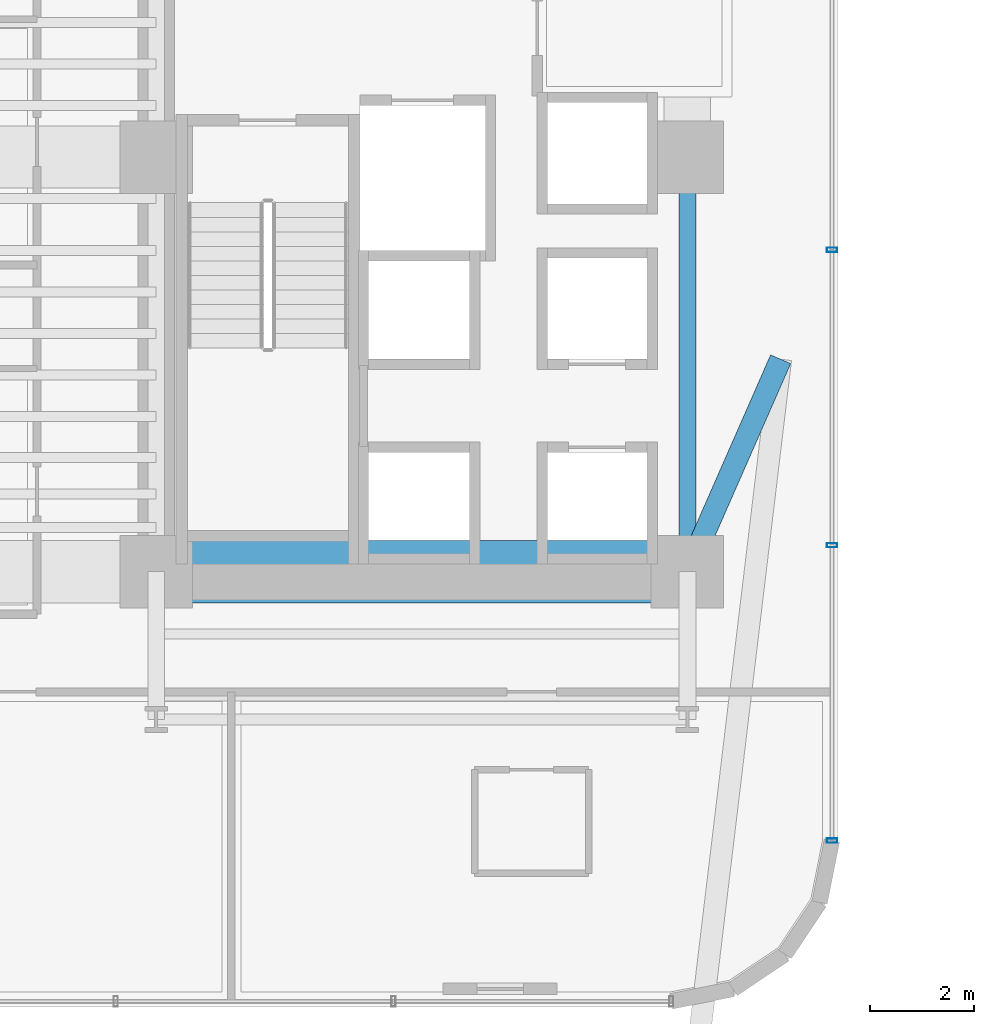
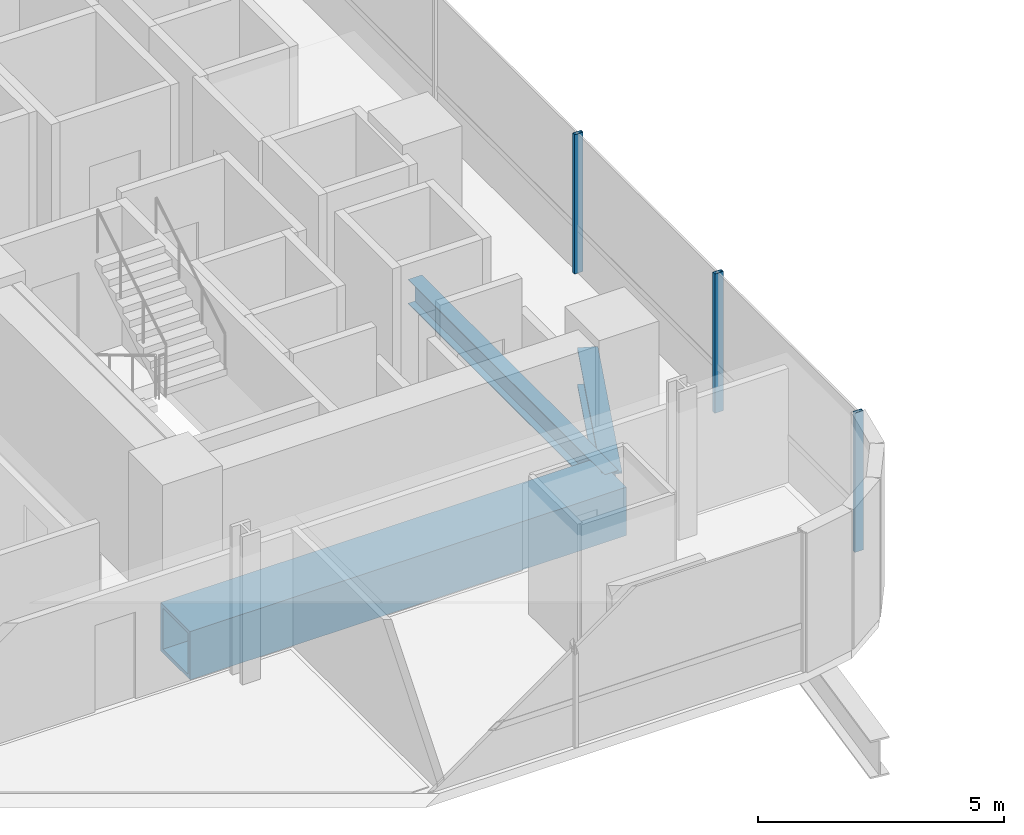
# One storey, part 7 of 50: 3 beams, 3 members, 1 element without a shape of its own.
"""IFC4 building model written with IfcOpenShell, lengths in metres."""

from ifc_helpers import new_model, si_unit, direction, frame, origin, origin_2d, place, context, subcontext, project, spatial, hollow_rectangle, i_section, extrude, source, transform, mapped, material, material_profile, profile_set, type_object, element, aggregate, save


model = new_model("IFC4")

# Units and contexts
model_context = context("Model", 3, precision=1e-05, world=origin(), true_north=direction((0.0, 1.0)))
body_context = subcontext(model_context, "Body", "Model", "MODEL_VIEW")
ifc_project = project(units=[si_unit("LENGTHUNIT", "METRE"), si_unit("AREAUNIT", "SQUARE_METRE"), si_unit("VOLUMEUNIT", "CUBIC_METRE"), si_unit("PLANEANGLEUNIT", "RADIAN"), si_unit("MASSUNIT", "GRAM", prefix="KILO")], contexts=[model_context])

# Site, building, storey
site_placement = place(None, origin())
site = spatial("IfcSite", under=ifc_project, at=site_placement, CompositionType="ELEMENT")
building_placement = place(site_placement, origin())
building = spatial("IfcBuilding", under=site, at=building_placement, Name="Valdorenza Pilgrim Sanctuary Tower", CompositionType="ELEMENT")
storey_placement = place(building_placement, frame((0.0, 0.0, 26.0)))
storey = spatial("IfcBuildingStorey", under=building, at=storey_placement, Name="L05", CompositionType="ELEMENT", Elevation=26.0)

# Beams
ifc_material_1 = material(Name="Steel ASTM A992 Grade 50", Category="steel")
ifc_material_profile_1 = material_profile(ifc_material_1, i_section(OverallWidth=0.323974609375, OverallDepth=0.611083984375, WebThickness=0.0126953125, FlangeThickness=0.01904296875, at=origin_2d()), Name="W24X104")
ifc_profile_set_1 = profile_set([ifc_material_profile_1], Name="Steel ASTM A992 Grade 50")
beam_type_1 = type_object("IfcBeamType", Name="STR-BM-GRD-W24B", PredefinedType="BEAM", material=ifc_profile_set_1)
shared_shape_1 = source(origin(), body_context, "Body", "SweptSolid", [
    extrude(i_section(OverallWidth=0.323974609375, OverallDepth=0.611083984375, WebThickness=0.0126953125, FlangeThickness=0.01904296875, at=origin_2d()), origin(), (0.0, 0.0, 1.0), 8.0),
])
beam_1_placement = place(storey_placement, frame((-12.39990234375, -10.60009765625, -0.54541015625), z_axis=(0.0, 1.0, 0.0), x_axis=(-1.0, 0.0, 0.0)))
element("IfcBeam", 1, at=beam_1_placement, inside=storey, type_object=beam_type_1, Name="L05 Core Tie Girder CA-E-S1M0", PredefinedType="BEAM", context=body_context, shape_type="MappedRepresentation", body=[
    mapped(shared_shape_1, transform((0.0, 0.0, 0.0), x_axis=(1.0, 0.0, 0.0), y_axis=(0.0, 1.0, 0.0), z_axis=(0.0, 0.0, 1.0), scale=1.0)),
])
ifc_material_profile_2 = material_profile(ifc_material_1, i_section(OverallWidth=0.423095703125, OverallDepth=0.947998046875, WebThickness=0.02392578125, FlangeThickness=0.042724609375, at=origin_2d()), Name="W36X302")
ifc_profile_set_2 = profile_set([ifc_material_profile_2], Name="Steel ASTM A992 Grade 50")
beam_type_2 = type_object("IfcBeamType", Name="STR-BM-GRD-W36A", PredefinedType="BEAM", material=ifc_profile_set_2)
shared_shape_2 = source(origin(), body_context, "Body", "SweptSolid", [
    extrude(i_section(OverallWidth=0.423095703125, OverallDepth=0.947998046875, WebThickness=0.02392578125, FlangeThickness=0.042724609375, at=origin_2d()), origin(), (0.0, 0.0, 1.0), 4.477783203125),
])
beam_2_placement = place(storey_placement, frame((-10.60009765625, -6.5, -0.714111328125), z_axis=(-0.40194546398, -0.91566360853, 0.0), x_axis=(0.91566360853, -0.40194546398, 0.0)))
element("IfcBeam", 2, at=beam_2_placement, inside=storey, type_object=beam_type_2, Name="L05 Floor Girder POD-ARCH-N", PredefinedType="BEAM", context=body_context, shape_type="MappedRepresentation", body=[
    mapped(shared_shape_2, transform((0.0, 0.0, 0.0), x_axis=(1.0, 0.0, 0.0), y_axis=(0.0, 1.0, 0.0), z_axis=(0.0, 0.0, 1.0), scale=1.0)),
])
ifc_material_2 = material(Name="Steel ASTM A572 Grade 42", Category="steel")
ifc_material_profile_3 = material_profile(ifc_material_2, hollow_rectangle(XDim=1.199951171875, YDim=1.199951171875, WallThickness=0.090087890625, at=origin_2d()), Name="BOX 1200x1200x90")
ifc_profile_set_3 = profile_set([ifc_material_profile_3], Name="Steel ASTM A572 Grade 42")
beam_type_3 = type_object("IfcBeamType", Name="STR-BM-TRF-1200", PredefinedType="BEAM", material=ifc_profile_set_3)
shared_shape_3 = source(origin(), body_context, "Body", "SweptSolid", [
    extrude(hollow_rectangle(XDim=1.199951171875, YDim=1.199951171875, WallThickness=0.090087890625, at=origin_2d()), origin(), (0.0, 0.0, 1.0), 10.25),
])
beam_3_placement = place(storey_placement, frame((-22.64990234375, -10.60009765625, -0.840087890625), z_axis=(1.0, 0.0, 0.0), x_axis=(0.0, 1.0, 0.0)))
element("IfcBeam", 3, at=beam_3_placement, inside=storey, type_object=beam_type_3, Name="L05 Transfer Girder CA-XC-S1", PredefinedType="BEAM", context=body_context, shape_type="MappedRepresentation", body=[
    mapped(shared_shape_3, transform((0.0, 0.0, 0.0), x_axis=(1.0, 0.0, 0.0), y_axis=(0.0, 1.0, 0.0), z_axis=(0.0, 0.0, 1.0), scale=1.0)),
])

# Curtain wall, members
ifc_material_3 = material(Name="Curtain-wall IGU glazing", Category="glass")
curtain_wall_type = type_object("IfcCurtainWallType", Name="CW-SYS-02", PredefinedType="NOTDEFINED", material=ifc_material_3)
curtain_wall_placement = place(storey_placement, origin())
curtain_wall = element("IfcCurtainWall", 4, at=curtain_wall_placement, inside=storey, type_object=curtain_wall_type, Name="L05 Curtain Wall CW-L05-1-41", PredefinedType="NOTDEFINED")
ifc_material_4 = material(Name="Anodised aluminium AW-6060", Category="aluminium")
ifc_material_profile_4 = material_profile(ifc_material_4, hollow_rectangle(XDim=0.0849609375, YDim=0.199951171875, WallThickness=0.0048828125, at=origin_2d()), Name="ALU-M 200x85x5")
ifc_profile_set_4 = profile_set([ifc_material_profile_4], Name="Anodised aluminium AW-6060")
member_type = type_object("IfcMemberType", Name="CW-MUL-02", PredefinedType="MULLION", material=ifc_profile_set_4)
shared_shape_4 = source(origin(), body_context, "Body", "SweptSolid", [
    extrude(hollow_rectangle(XDim=0.0849609375, YDim=0.199951171875, WallThickness=0.0048828125, at=origin_2d()), origin(), (0.0, 0.0, 1.0), 3.4599609375),
])
member_1_placement = place(storey_placement, frame((-9.610107421875, -4.38916015625, 0.0), z_axis=(0.0, 0.0, 1.0), x_axis=(0.0, -1.0, 0.0)))
member_1 = element("IfcMember", 5, at=member_1_placement, type_object=member_type, Name="CW-L05-1-41 Mullion 3", PredefinedType="MULLION", context=body_context, shape_type="MappedRepresentation", body=[
    mapped(shared_shape_4, transform((0.0, 0.0, 0.0), x_axis=(1.0, 0.0, 0.0), y_axis=(0.0, 1.0, 0.0), z_axis=(0.0, 0.0, 1.0), scale=1.0)),
])
member_2_placement = place(storey_placement, frame((-9.610107421875, -10.089111328125, 0.0), z_axis=(0.0, 0.0, 1.0), x_axis=(0.0, -1.0, 0.0)))
member_2 = element("IfcMember", 6, at=member_2_placement, type_object=member_type, Name="CW-L05-1-41 Mullion 4", PredefinedType="MULLION", context=body_context, shape_type="MappedRepresentation", body=[
    mapped(shared_shape_4, transform((0.0, 0.0, 0.0), x_axis=(1.0, 0.0, 0.0), y_axis=(0.0, 1.0, 0.0), z_axis=(0.0, 0.0, 1.0), scale=1.0)),
])
member_3_placement = place(storey_placement, frame((-9.610107421875, -15.789306640625, 0.0), z_axis=(0.0, 0.0, 1.0), x_axis=(0.0, -1.0, 0.0)))
member_3 = element("IfcMember", 7, at=member_3_placement, type_object=member_type, Name="CW-L05-1-41 Mullion 5", PredefinedType="MULLION", context=body_context, shape_type="MappedRepresentation", body=[
    mapped(shared_shape_4, transform((0.0, 0.0, 0.0), x_axis=(1.0, 0.0, 0.0), y_axis=(0.0, 1.0, 0.0), z_axis=(0.0, 0.0, 1.0), scale=1.0)),
])
aggregate(curtain_wall, [member_1, member_2, member_3])

save(model, "model.ifc")
